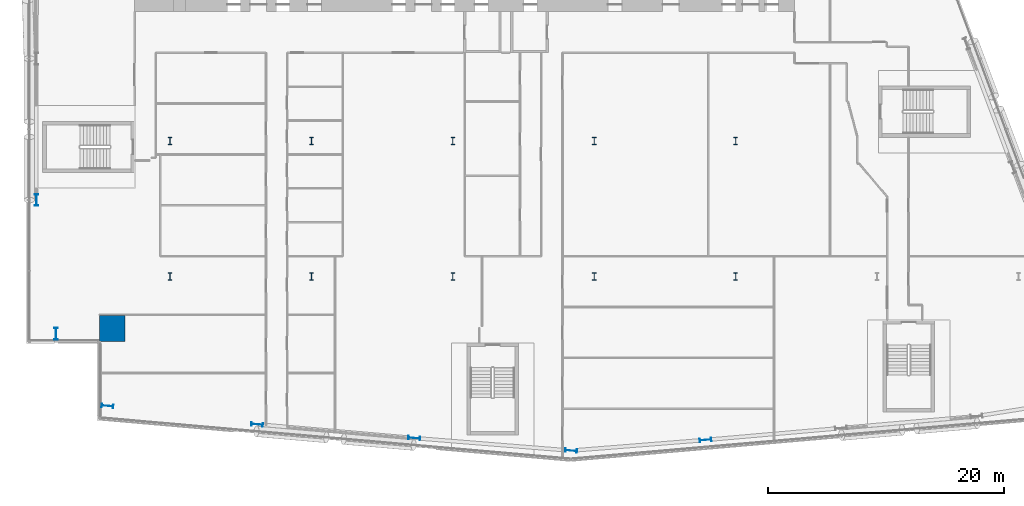
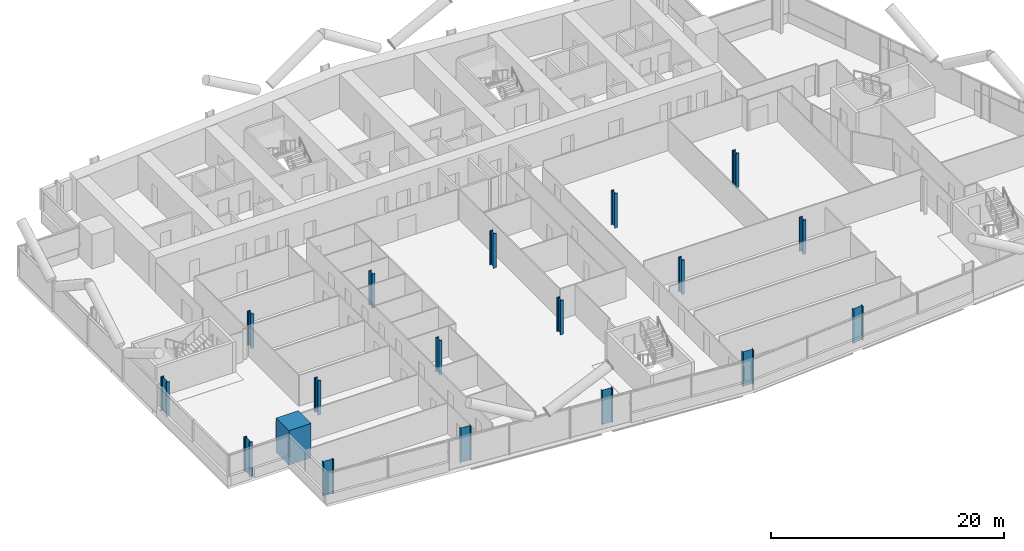
# One storey, part 1 of 27: 18 columns.
"""IFC4 building model written with IfcOpenShell, lengths in metres."""

from ifc_helpers import new_model, si_unit, direction, frame, origin, origin_2d, place, context, subcontext, project, spatial, rectangle, i_section, extrude, material, material_profile, profile_set, type_object, element, save


model = new_model("IFC4")

# Units and contexts
model_context = context("Model", 3, precision=1e-05, world=origin(), true_north=direction((0.0, 1.0)))
body_context = subcontext(model_context, "Body", "Model", "MODEL_VIEW")
ifc_project = project(units=[si_unit("LENGTHUNIT", "METRE"), si_unit("AREAUNIT", "SQUARE_METRE"), si_unit("VOLUMEUNIT", "CUBIC_METRE"), si_unit("PLANEANGLEUNIT", "RADIAN"), si_unit("MASSUNIT", "GRAM", prefix="KILO")], contexts=[model_context])

# Site, building, storey
site_placement = place(None, origin())
site = spatial("IfcSite", under=ifc_project, at=site_placement, CompositionType="ELEMENT")
building_placement = place(site_placement, origin())
building = spatial("IfcBuilding", under=site, at=building_placement, Name="Wharfspan Tower", CompositionType="ELEMENT")
storey_placement = place(building_placement, frame((0.0, 0.0, 77.5)))
storey = spatial("IfcBuildingStorey", under=building, at=storey_placement, Name="L16", CompositionType="ELEMENT", Elevation=77.5)

# Columns
ifc_material_1 = material(Name="Steel S355J2", Category="steel")
ifc_material_profile_1 = material_profile(ifc_material_1, i_section(OverallWidth=0.302002, OverallDepth=1.008057, WebThickness=0.020996, FlangeThickness=0.040039, FilletRadius=0.030029, at=origin_2d()))
ifc_profile_set_1 = profile_set([ifc_material_profile_1], Name="Steel S355J2")
column_type_1 = type_object("IfcColumnType", Name="Column HEM 1000", PredefinedType="COLUMN", material=ifc_profile_set_1)
for number, where, z_axis, x_axis, name in (
    (1, (6.694336, 0.528564, 0.0), (0.0, 0.0, 1.0), (-0.087156, -0.996198, 0.0), "Perimeter column PS1.1 L16"),
    (2, (19.390869, -1.033936, 0.0), (0.0, 0.0, 1.0), (-0.087156, -0.996198, 0.0), "Perimeter column PS1.2 L16"),
    (3, (32.724121, -2.200439, 0.0), (0.0, 0.0, 1.0), (-0.087156, -0.996198, 0.0), "Perimeter column PS1.3 L16"),
    (4, (46.04248, -3.268066, 0.0), (0.0, 0.0, 1.0), (-0.087156, -0.996198, 0.0), "Perimeter column PS1.4 L16"),
    (5, (57.442383, -2.36084, 0.0), (0.0, 0.0, 1.0), (0.087156, -0.996198, 0.0), "Perimeter column PS2.1 L16"),
    (6, (0.659912, 18.0, 0.0), (0.0, 0.0, 1.0), (-1.0, 0.0, 0.0), "Perimeter column PW.2 L16"),
    (7, (2.331787, 6.66748, 0.0), (0.0, 0.0, 1.0), (-1.0, 0.0, 0.0), "Perimeter column PW.3 L16"),
):
    element("IfcColumn", number, at=place(storey_placement, frame(where, z_axis=z_axis, x_axis=x_axis)), inside=storey, type_object=column_type_1, Name=name, PredefinedType="COLUMN", context=body_context, shape_type="SweptSolid", body=[
        extrude(i_section(OverallWidth=0.302002, OverallDepth=1.008057, WebThickness=0.020996, FlangeThickness=0.040039, FilletRadius=0.030029, at=origin_2d()), origin(), (0.0, 0.0, 1.0), 3.600098),
    ])
ifc_material_profile_2 = material_profile(ifc_material_1, i_section(OverallWidth=0.304932, OverallDepth=0.620117, WebThickness=0.020996, FlangeThickness=0.040039, FilletRadius=0.0271, at=origin_2d()))
ifc_profile_set_2 = profile_set([ifc_material_profile_2], Name="Steel S355J2")
column_type_2 = type_object("IfcColumnType", Name="Column HEM 600", PredefinedType="COLUMN", material=ifc_profile_set_2)
for number, where, z_axis, x_axis, name in (
    (8, (12.0, 11.5, 0.0), (0.0, 0.0, 1.0), (1.0, 0.0, 0.0), "Interior column I.1.1 L16"),
    (9, (24.0, 11.5, 0.0), (0.0, 0.0, 1.0), (1.0, 0.0, 0.0), "Interior column I.1.2 L16"),
    (10, (36.0, 11.5, 0.0), (0.0, 0.0, 1.0), (1.0, 0.0, 0.0), "Interior column I.1.3 L16"),
    (11, (48.0, 11.5, 0.0), (0.0, 0.0, 1.0), (1.0, 0.0, 0.0), "Interior column I.1.4 L16"),
    (12, (60.0, 11.5, 0.0), (0.0, 0.0, 1.0), (1.0, 0.0, 0.0), "Interior column I.1.5 L16"),
    (13, (12.0, 23.0, 0.0), (0.0, 0.0, 1.0), (1.0, 0.0, 0.0), "Interior column I.2.1 L16"),
    (14, (24.0, 23.0, 0.0), (0.0, 0.0, 1.0), (1.0, 0.0, 0.0), "Interior column I.2.2 L16"),
    (15, (36.0, 23.0, 0.0), (0.0, 0.0, 1.0), (1.0, 0.0, 0.0), "Interior column I.2.3 L16"),
    (16, (48.0, 23.0, 0.0), (0.0, 0.0, 1.0), (1.0, 0.0, 0.0), "Interior column I.2.4 L16"),
    (17, (60.0, 23.0, 0.0), (0.0, 0.0, 1.0), (1.0, 0.0, 0.0), "Interior column I.2.5 L16"),
):
    element("IfcColumn", number, at=place(storey_placement, frame(where, z_axis=z_axis, x_axis=x_axis)), inside=storey, type_object=column_type_2, Name=name, PredefinedType="COLUMN", context=body_context, shape_type="SweptSolid", body=[
        extrude(i_section(OverallWidth=0.304932, OverallDepth=0.620117, WebThickness=0.020996, FlangeThickness=0.040039, FilletRadius=0.0271, at=origin_2d()), origin(), (0.0, 0.0, 1.0), 3.600098),
    ])
ifc_material_2 = material(Name="Concrete C70/85", Category="concrete")
ifc_material_profile_3 = material_profile(ifc_material_2, rectangle(XDim=2.199951, YDim=2.199951, at=origin_2d()))
ifc_profile_set_3 = profile_set([ifc_material_profile_3], Name="Concrete C70/85")
column_type_3 = type_object("IfcColumnType", Name="Mega column 2200 C70/85", PredefinedType="COLUMN", material=ifc_profile_set_3)
column_placement = place(storey_placement, frame((7.100098, 7.100098, 0.0), z_axis=(0.0, 0.0, 1.0), x_axis=(1.0, 0.0, 0.0)))
element("IfcColumn", 18, at=column_placement, inside=storey, type_object=column_type_3, Name="Mega column MC1 L16", PredefinedType="COLUMN", context=body_context, shape_type="SweptSolid", body=[
    extrude(rectangle(XDim=2.199951, YDim=2.199951, at=origin_2d()), origin(), (0.0, 0.0, 1.0), 3.600098),
])

save(model, "model.ifc")
